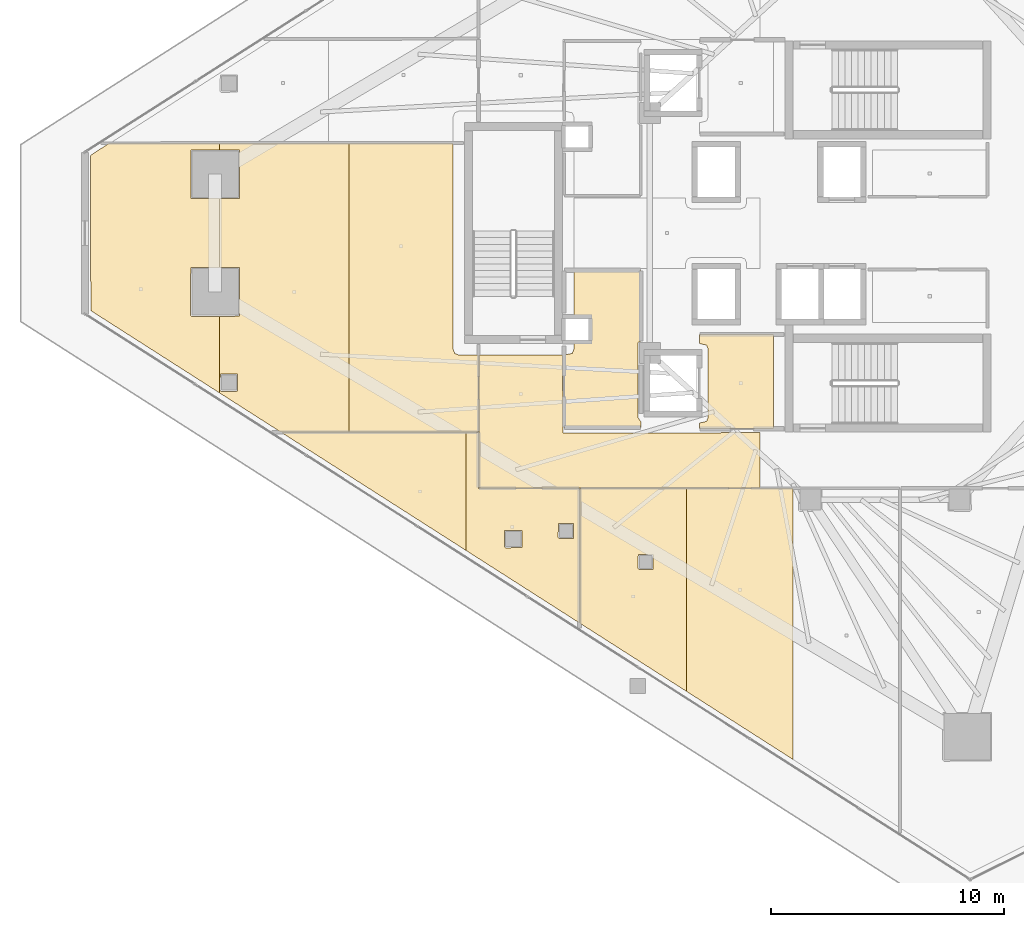
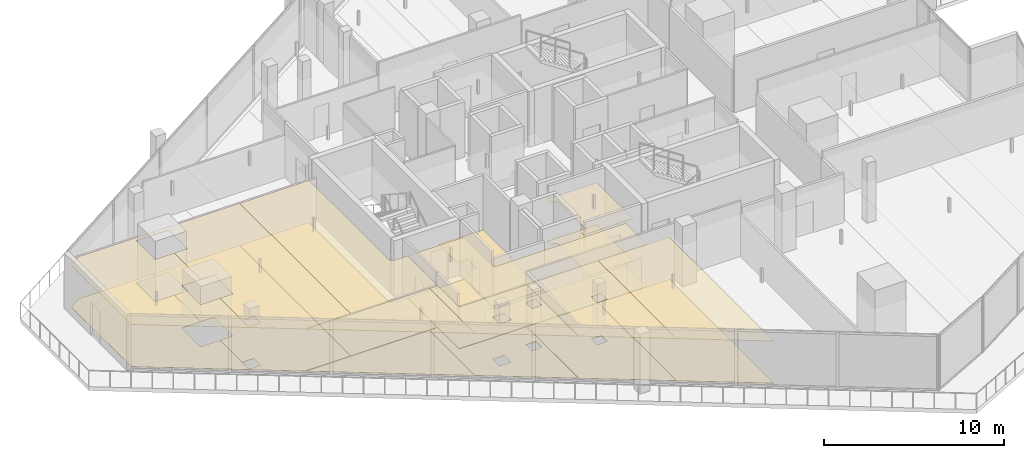
# One storey, part 31 of 36: 19 coverings.
"""IFC4 building model written with IfcOpenShell, lengths in metres."""

from ifc_helpers import new_model, si_unit, direction, frame, origin, place, context, subcontext, project, spatial, polyline, outline, extrude, material, layer, layer_set, type_object, element, save


model = new_model("IFC4")

# Units and contexts
model_context = context("Model", 3, precision=1e-05, world=origin(), true_north=direction((0.0, 1.0)))
body_context = subcontext(model_context, "Body", "Model", "MODEL_VIEW")
ifc_project = project(units=[si_unit("LENGTHUNIT", "METRE"), si_unit("AREAUNIT", "SQUARE_METRE"), si_unit("VOLUMEUNIT", "CUBIC_METRE"), si_unit("PLANEANGLEUNIT", "RADIAN"), si_unit("MASSUNIT", "GRAM", prefix="KILO")], contexts=[model_context])

# Site, building, storey
site_placement = place(None, origin())
site = spatial("IfcSite", under=ifc_project, at=site_placement, CompositionType="ELEMENT")
building_placement = place(site_placement, origin())
building = spatial("IfcBuilding", under=site, at=building_placement, Name="Qorvath Tower", CompositionType="ELEMENT")
storey_placement = place(building_placement, frame((0.0, 0.0, 205.050048828125)))
storey = spatial("IfcBuildingStorey", under=building, at=storey_placement, Name="L47", CompositionType="ELEMENT", Elevation=205.050048828125)

# Coverings
ifc_material_1 = material(Name="Acoustic mineral fibre ceiling tile", Category="gypsum")
ifc_layer_1 = layer(ifc_material_1, 0.030029296875)
ifc_layer_set_1 = layer_set([ifc_layer_1], Name="COV-CEIL")
covering_type_1 = type_object("IfcCoveringType", Name="COV-CEIL", PredefinedType="CEILING", material=ifc_layer_set_1)
covering_1_placement = place(storey_placement, frame((0.0, 0.0, 2.849853515625)))
element("IfcCovering", 1, at=covering_1_placement, inside=storey, type_object=covering_type_1, Name="L47 Suspended Acoustic Ceiling 002", PredefinedType="CEILING", context=body_context, shape_type="SweptSolid", body=[
    extrude(outline(polyline([(-25.18994140625, -8.39501953125), (-25.18994140625, -4.35498046875), (-28.375, -4.35498046875), (-28.375, -4.739990234375), (-28.063232421875, -4.813232421875), (-27.989990234375, -4.989990234375), (-27.989990234375, -7.909912109375), (-28.063232421875, -8.086669921875), (-28.375, -8.159912109375), (-28.375, -8.39501953125), (-25.18994140625, -8.39501953125)])), origin(), (0.0, 0.0, 1.0), 0.030029296875),
])
covering_2_placement = place(storey_placement, frame((0.0, 0.0, 2.849853515625)))
element("IfcCovering", 2, at=covering_2_placement, inside=storey, type_object=covering_type_1, Name="L47 Suspended Acoustic Ceiling 007", PredefinedType="CEILING", context=body_context, shape_type="SweptSolid", body=[
    extrude(outline(polyline([(-34.22509765625, -8.580078125), (-34.251220703125, -5.239990234375), (-37.844970703125, -5.239990234375), (-37.844970703125, -10.945068359375), (-25.76806640625, -10.945068359375), (-25.76806640625, -8.574462890625), (-34.22509765625, -8.580078125)])), origin(), (0.0, 0.0, 1.0), 0.030029296875),
])
covering_3_placement = place(storey_placement, frame((0.0, 0.0, 2.849853515625)))
element("IfcCovering", 3, at=covering_3_placement, inside=storey, type_object=covering_type_1, Name="L47 Suspended Acoustic Ceiling 018", PredefinedType="CEILING", context=body_context, shape_type="SweptSolid", body=[
    extrude(outline(polyline([(-38.38525390625, -13.63623046875), (-38.38525390625, -8.554931640625), (-46.33544921875, -8.554931640625), (-38.38525390625, -13.63623046875)])), origin(), (0.0, 0.0, 1.0), 0.030029296875),
])
covering_4_placement = place(storey_placement, frame((0.0, 0.0, 2.849853515625)))
element("IfcCovering", 4, at=covering_4_placement, inside=storey, type_object=covering_type_1, Name="L47 Suspended Acoustic Ceiling 019", PredefinedType="CEILING", context=body_context, shape_type="SweptSolid", body=[
    extrude(outline(polyline([(-37.861572265625, -10.96142578125), (-37.863037109375, -8.554931640625), (-38.38525390625, -8.554931640625), (-38.38525390625, -13.63623046875), (-33.523681640625, -16.743408203125), (-33.523681640625, -10.962890625), (-37.861572265625, -10.96142578125)]), holes=[polyline([(-34.439208984375, -13.0673828125), (-34.421630859375, -12.47509765625), (-33.786865234375, -12.47509765625), (-33.786865234375, -13.10986328125), (-34.379150390625, -13.12744140625), (-34.439208984375, -13.0673828125)]), polyline([(-36.749755859375, -13.46044921875), (-36.732177734375, -12.76806640625), (-35.997314453125, -12.76806640625), (-35.997314453125, -13.5029296875), (-36.689697265625, -13.5205078125), (-36.749755859375, -13.46044921875)])]), origin(), (0.0, 0.0, 1.0), 0.030029296875),
])
covering_5_placement = place(storey_placement, frame((0.0, 0.0, 2.849853515625)))
element("IfcCovering", 5, at=covering_5_placement, inside=storey, type_object=covering_type_1, Name="L47 Suspended Acoustic Ceiling 020", PredefinedType="CEILING", context=body_context, shape_type="SweptSolid", body=[
    extrude(outline(polyline([(-33.505615234375, -10.962890625), (-33.505615234375, -16.7548828125), (-28.9228515625, -19.683837890625), (-28.9228515625, -10.962890625), (-33.505615234375, -10.962890625)]), holes=[polyline([(-31.01220703125, -14.3994140625), (-30.99462890625, -13.806884765625), (-30.35986328125, -13.806884765625), (-30.35986328125, -14.441650390625), (-30.9521484375, -14.459228515625), (-31.01220703125, -14.3994140625)])]), origin(), (0.0, 0.0, 1.0), 0.030029296875),
])
covering_6_placement = place(storey_placement, frame((0.0, 0.0, 2.849853515625)))
element("IfcCovering", 6, at=covering_6_placement, inside=storey, type_object=covering_type_1, Name="L47 Suspended Acoustic Ceiling 021", PredefinedType="CEILING", context=body_context, shape_type="SweptSolid", body=[
    extrude(outline(polyline([(-28.9228515625, -10.962890625), (-28.9228515625, -19.683837890625), (-24.340087890625, -22.61279296875), (-24.340087890625, -10.962890625), (-28.9228515625, -10.962890625)])), origin(), (0.0, 0.0, 1.0), 0.030029296875),
])
covering_7_placement = place(storey_placement, frame((0.0, 0.0, 2.849853515625)))
element("IfcCovering", 7, at=covering_7_placement, inside=storey, type_object=covering_type_1, Name="L47 Suspended Acoustic Ceiling 032", PredefinedType="CEILING", context=body_context, shape_type="SweptSolid", body=[
    extrude(outline(polyline([(-53.726318359375, 3.85498046875), (-54.52783203125, 3.331787109375), (-54.5078125, -3.331787109375), (-48.972900390625, -6.869384765625), (-48.972900390625, -3.577392578125), (-50.171875, -3.587890625), (-50.23193359375, -3.52783203125), (-50.21435546875, -1.4853515625), (-48.972900390625, -1.4853515625), (-48.972900390625, 1.4853515625), (-50.21435546875, 1.4853515625), (-50.21435546875, 3.5703125), (-48.972900390625, 3.5703125), (-48.972900390625, 3.85595703125), (-53.726318359375, 3.85498046875)])), origin(), (0.0, 0.0, 1.0), 0.030029296875),
])
covering_8_placement = place(storey_placement, frame((0.0, 0.0, 2.849853515625)))
element("IfcCovering", 8, at=covering_8_placement, inside=storey, type_object=covering_type_1, Name="L47 Suspended Acoustic Ceiling 033", PredefinedType="CEILING", context=body_context, shape_type="SweptSolid", body=[
    extrude(outline(polyline([(-48.972900390625, 3.85595703125), (-48.972900390625, 3.5703125), (-48.12939453125, 3.5703125), (-48.12939453125, 1.4853515625), (-48.972900390625, 1.4853515625), (-48.972900390625, -1.4853515625), (-48.12939453125, -1.4853515625), (-48.12939453125, -3.5703125), (-48.972900390625, -3.577392578125), (-48.972900390625, -6.869384765625), (-46.363525390625, -8.537109375), (-43.41796875, -8.537109375), (-43.41796875, 3.85693359375), (-48.972900390625, 3.85595703125)]), holes=[polyline([(-48.96337890625, -6.74951171875), (-48.94580078125, -6.05712890625), (-48.2109375, -6.05712890625), (-48.2109375, -6.7919921875), (-48.9033203125, -6.8095703125), (-48.96337890625, -6.74951171875)])]), origin(), (0.0, 0.0, 1.0), 0.030029296875),
])
covering_9_placement = place(storey_placement, frame((0.0, 0.0, 2.849853515625)))
element("IfcCovering", 9, at=covering_9_placement, inside=storey, type_object=covering_type_1, Name="L47 Suspended Acoustic Ceiling 034", PredefinedType="CEILING", context=body_context, shape_type="SweptSolid", body=[
    extrude(outline(polyline([(-43.41796875, 3.85693359375), (-43.41796875, -8.537109375), (-37.863037109375, -8.537109375), (-37.863037109375, -5.239990234375), (-38.699951171875, -5.239990234375), (-38.876708984375, -5.166748046875), (-38.949951171875, -4.989990234375), (-38.949951171875, 3.85791015625), (-43.41796875, 3.85693359375)])), origin(), (0.0, 0.0, 1.0), 0.030029296875),
])
ifc_material_2 = material(Name="Low-VOC modular carpet tile", Category="textile")
ifc_layer_2 = layer(ifc_material_2, 0.014892578125)
ifc_layer_set_2 = layer_set([ifc_layer_2], Name="COV-FLOOR-CPT")
covering_type_2 = type_object("IfcCoveringType", Name="COV-FLOOR-CPT", PredefinedType="FLOORING", material=ifc_layer_set_2)
covering_10_placement = place(storey_placement, origin())
element("IfcCovering", 10, at=covering_10_placement, inside=storey, type_object=covering_type_2, Name="L47 Floor Finish 006", PredefinedType="FLOORING", context=body_context, shape_type="SweptSolid", body=[
    extrude(outline(polyline([(-30.885009765625, -1.60498046875), (-33.760009765625, -1.60498046875), (-33.760009765625, -3.636962890625), (-33.08837890625, -3.638427734375), (-33.0869140625, -4.6279296875), (-33.760009765625, -4.633056640625), (-33.760009765625, -4.989990234375), (-33.833251953125, -5.166748046875), (-34.175048828125, -5.239990234375), (-34.175048828125, -8.344970703125), (-30.885009765625, -8.344970703125), (-30.885009765625, -8.108154296875), (-31.010009765625, -7.909912109375), (-31.010009765625, -4.989990234375), (-31.010009765625, -4.699951171875), (-30.885009765625, -4.639892578125), (-30.885009765625, -1.60498046875)])), origin(), (0.0, 0.0, 1.0), 0.014892578125),
])
covering_11_placement = place(storey_placement, origin())
element("IfcCovering", 11, at=covering_11_placement, inside=storey, type_object=covering_type_2, Name="L47 Floor Finish 018", PredefinedType="FLOORING", context=body_context, shape_type="SweptSolid", body=[
    extrude(outline(polyline([(-38.38525390625, -13.63623046875), (-38.38525390625, -8.554931640625), (-46.33544921875, -8.554931640625), (-38.38525390625, -13.63623046875)])), origin(), (0.0, 0.0, 1.0), 0.014892578125),
])
covering_12_placement = place(storey_placement, origin())
element("IfcCovering", 12, at=covering_12_placement, inside=storey, type_object=covering_type_2, Name="L47 Floor Finish 019", PredefinedType="FLOORING", context=body_context, shape_type="SweptSolid", body=[
    extrude(outline(polyline([(-37.861572265625, -10.96142578125), (-37.863037109375, -8.554931640625), (-38.38525390625, -8.554931640625), (-38.38525390625, -13.63623046875), (-33.523681640625, -16.743408203125), (-33.523681640625, -10.962890625), (-37.861572265625, -10.96142578125)]), holes=[polyline([(-34.439208984375, -13.0673828125), (-34.421630859375, -12.47509765625), (-33.786865234375, -12.47509765625), (-33.786865234375, -13.10986328125), (-34.379150390625, -13.12744140625), (-34.439208984375, -13.0673828125)]), polyline([(-36.749755859375, -13.46044921875), (-36.732177734375, -12.76806640625), (-35.997314453125, -12.76806640625), (-35.997314453125, -13.5029296875), (-36.689697265625, -13.5205078125), (-36.749755859375, -13.46044921875)])]), origin(), (0.0, 0.0, 1.0), 0.014892578125),
])
covering_13_placement = place(storey_placement, origin())
element("IfcCovering", 13, at=covering_13_placement, inside=storey, type_object=covering_type_2, Name="L47 Floor Finish 020", PredefinedType="FLOORING", context=body_context, shape_type="SweptSolid", body=[
    extrude(outline(polyline([(-33.505615234375, -10.962890625), (-33.505615234375, -16.7548828125), (-28.9228515625, -19.683837890625), (-28.9228515625, -10.962890625), (-33.505615234375, -10.962890625)]), holes=[polyline([(-31.01220703125, -14.3994140625), (-30.99462890625, -13.806884765625), (-30.35986328125, -13.806884765625), (-30.35986328125, -14.441650390625), (-30.9521484375, -14.459228515625), (-31.01220703125, -14.3994140625)])]), origin(), (0.0, 0.0, 1.0), 0.014892578125),
])
covering_14_placement = place(storey_placement, origin())
element("IfcCovering", 14, at=covering_14_placement, inside=storey, type_object=covering_type_2, Name="L47 Floor Finish 021", PredefinedType="FLOORING", context=body_context, shape_type="SweptSolid", body=[
    extrude(outline(polyline([(-28.9228515625, -10.962890625), (-28.9228515625, -19.683837890625), (-24.340087890625, -22.61279296875), (-24.340087890625, -10.962890625), (-28.9228515625, -10.962890625)])), origin(), (0.0, 0.0, 1.0), 0.014892578125),
])
covering_15_placement = place(storey_placement, origin())
element("IfcCovering", 15, at=covering_15_placement, inside=storey, type_object=covering_type_2, Name="L47 Floor Finish 032", PredefinedType="FLOORING", context=body_context, shape_type="SweptSolid", body=[
    extrude(outline(polyline([(-53.726318359375, 3.85498046875), (-54.52783203125, 3.331787109375), (-54.5078125, -3.331787109375), (-48.972900390625, -6.869384765625), (-48.972900390625, -3.577392578125), (-50.171875, -3.587890625), (-50.23193359375, -3.52783203125), (-50.21435546875, -1.4853515625), (-48.972900390625, -1.4853515625), (-48.972900390625, 1.4853515625), (-50.21435546875, 1.4853515625), (-50.21435546875, 3.5703125), (-48.972900390625, 3.5703125), (-48.972900390625, 3.85595703125), (-53.726318359375, 3.85498046875)])), origin(), (0.0, 0.0, 1.0), 0.014892578125),
])
covering_16_placement = place(storey_placement, origin())
element("IfcCovering", 16, at=covering_16_placement, inside=storey, type_object=covering_type_2, Name="L47 Floor Finish 033", PredefinedType="FLOORING", context=body_context, shape_type="SweptSolid", body=[
    extrude(outline(polyline([(-48.972900390625, 3.85595703125), (-48.972900390625, 3.5703125), (-48.12939453125, 3.5703125), (-48.12939453125, 1.4853515625), (-48.972900390625, 1.4853515625), (-48.972900390625, -1.4853515625), (-48.12939453125, -1.4853515625), (-48.12939453125, -3.5703125), (-48.972900390625, -3.577392578125), (-48.972900390625, -6.869384765625), (-46.363525390625, -8.537109375), (-43.41796875, -8.537109375), (-43.41796875, 3.85693359375), (-48.972900390625, 3.85595703125)]), holes=[polyline([(-48.96337890625, -6.74951171875), (-48.94580078125, -6.05712890625), (-48.2109375, -6.05712890625), (-48.2109375, -6.7919921875), (-48.9033203125, -6.8095703125), (-48.96337890625, -6.74951171875)])]), origin(), (0.0, 0.0, 1.0), 0.014892578125),
])
covering_17_placement = place(storey_placement, origin())
element("IfcCovering", 17, at=covering_17_placement, inside=storey, type_object=covering_type_2, Name="L47 Floor Finish 034", PredefinedType="FLOORING", context=body_context, shape_type="SweptSolid", body=[
    extrude(outline(polyline([(-43.41796875, 3.85693359375), (-43.41796875, -8.537109375), (-37.863037109375, -8.537109375), (-37.863037109375, -5.239990234375), (-38.699951171875, -5.239990234375), (-38.876708984375, -5.166748046875), (-38.949951171875, -4.989990234375), (-38.949951171875, 3.85791015625), (-43.41796875, 3.85693359375)])), origin(), (0.0, 0.0, 1.0), 0.014892578125),
])
ifc_material_3 = material(Name="Polished epoxy terrazzo flooring", Category="concrete")
ifc_layer_3 = layer(ifc_material_3, 0.02001953125)
ifc_layer_set_3 = layer_set([ifc_layer_3], Name="COV-FLOOR-TRZ")
covering_type_3 = type_object("IfcCoveringType", Name="COV-FLOOR-TRZ", PredefinedType="FLOORING", material=ifc_layer_set_3)
covering_18_placement = place(storey_placement, origin())
element("IfcCovering", 18, at=covering_18_placement, inside=storey, type_object=covering_type_3, Name="L47 Floor Finish 002", PredefinedType="FLOORING", context=body_context, shape_type="SweptSolid", body=[
    extrude(outline(polyline([(-25.18994140625, -8.39501953125), (-25.18994140625, -4.35498046875), (-28.375, -4.35498046875), (-28.375, -4.739990234375), (-28.063232421875, -4.813232421875), (-27.989990234375, -4.989990234375), (-27.989990234375, -7.909912109375), (-28.063232421875, -8.086669921875), (-28.375, -8.159912109375), (-28.375, -8.39501953125), (-25.18994140625, -8.39501953125)])), origin(), (0.0, 0.0, 1.0), 0.014892578125),
])
covering_19_placement = place(storey_placement, origin())
element("IfcCovering", 19, at=covering_19_placement, inside=storey, type_object=covering_type_3, Name="L47 Floor Finish 007", PredefinedType="FLOORING", context=body_context, shape_type="SweptSolid", body=[
    extrude(outline(polyline([(-34.22509765625, -8.580078125), (-34.251220703125, -5.239990234375), (-37.844970703125, -5.239990234375), (-37.844970703125, -10.945068359375), (-25.76806640625, -10.945068359375), (-25.76806640625, -8.574462890625), (-34.22509765625, -8.580078125)])), origin(), (0.0, 0.0, 1.0), 0.014892578125),
])

save(model, "model.ifc")
